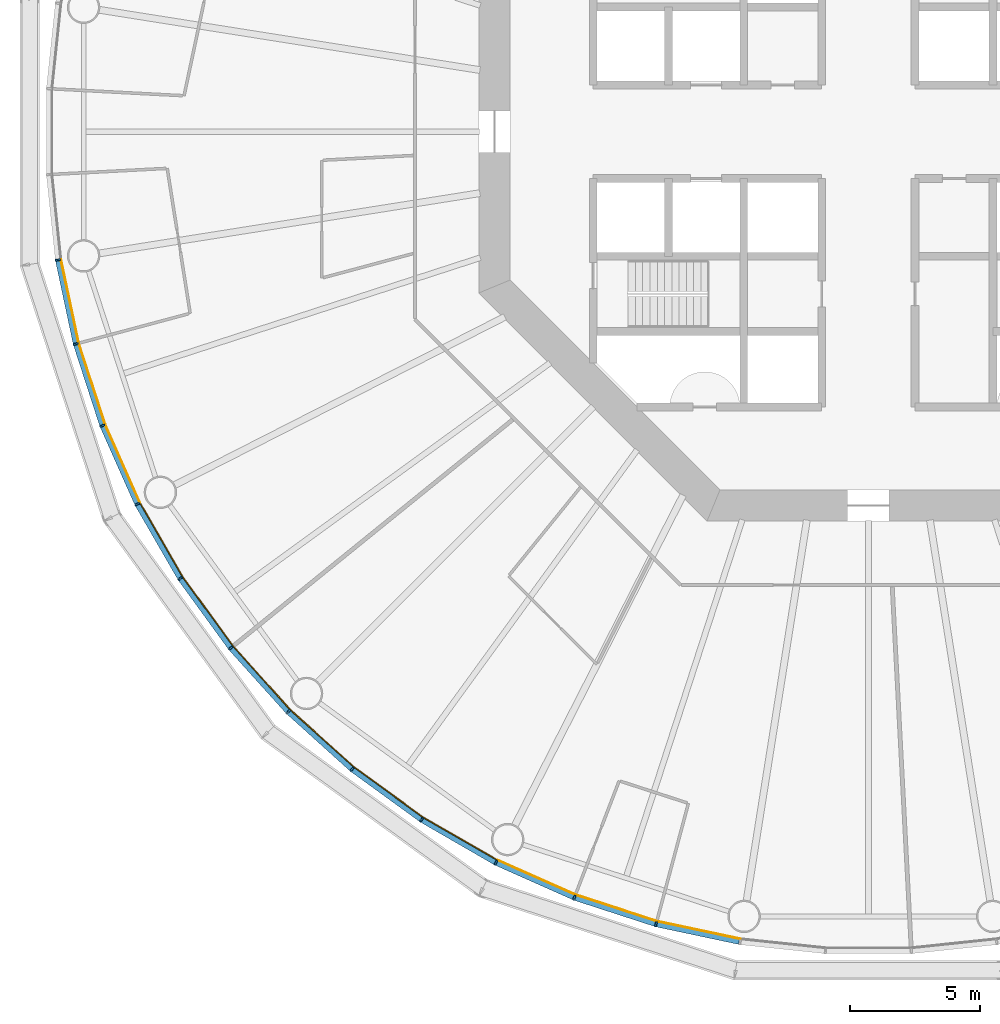
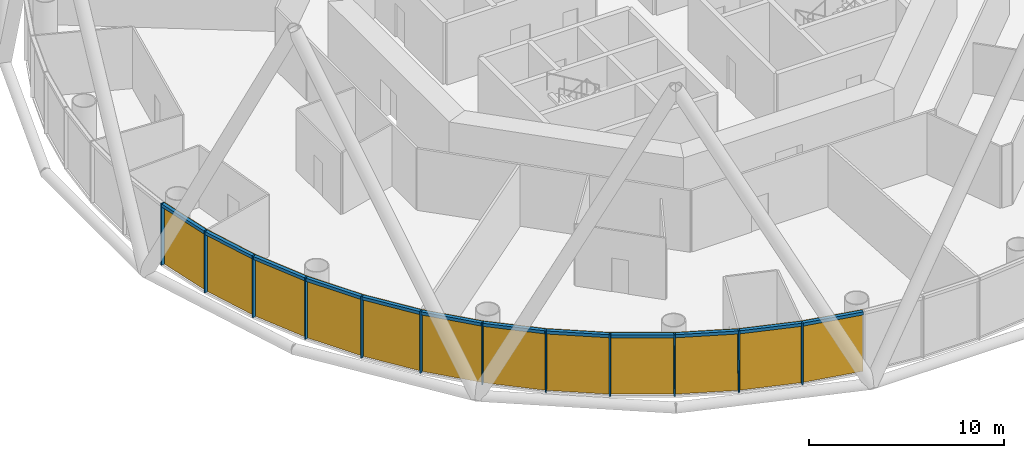
# One storey, part 7 of 13: 24 members, 4 curtain walls.
"""IFC4 building model written with IfcOpenShell, lengths in metres."""

from ifc_helpers import new_model, si_unit, direction, frame, origin, origin_2d, place, context, subcontext, project, spatial, polyline, rectangle, outline, extrude, material, layer, layer_set, material_profile, profile_set, type_object, element, aggregate, save


model = new_model("IFC4")

# Units and contexts
model_context = context("Model", 3, precision=1e-05, world=origin(), true_north=direction((0.0, 1.0)))
body_context = subcontext(model_context, "Body", "Model", "MODEL_VIEW")
ifc_project = project(units=[si_unit("LENGTHUNIT", "METRE"), si_unit("AREAUNIT", "SQUARE_METRE"), si_unit("VOLUMEUNIT", "CUBIC_METRE"), si_unit("PLANEANGLEUNIT", "RADIAN"), si_unit("MASSUNIT", "GRAM", prefix="KILO")], contexts=[model_context])

# Member
ifc_material_1 = material(Name="Anodised aluminium", Category="aluminium")
ifc_material_profile_1 = material_profile(ifc_material_1, rectangle(XDim=0.070068359375, YDim=0.199951171875, at=origin_2d()), Name="Mullion 70 x 200 mm anodised aluminium")
ifc_profile_set_1 = profile_set([ifc_material_profile_1], Name="Anodised aluminium")
member_type_1 = type_object("IfcMemberType", Name="Mullion 70 x 200 mm anodised aluminium", PredefinedType="MULLION", material=ifc_profile_set_1)
site_placement = place(None, origin())
building_placement = place(site_placement, origin())
storey_placement = place(building_placement, frame((0.0, 0.0, 96.0)))
member_1_placement = place(storey_placement, frame((58.7890625, 75.056640625, 0.0), z_axis=(0.0, 0.0, 1.0), x_axis=(0.15643446504, -0.987688340595, 0.0)))
member_1 = element("IfcMember", 1, at=member_1_placement, type_object=member_type_1, Name="MULLION L21-30", PredefinedType="MULLION", context=body_context, shape_type="SweptSolid", body=[
    extrude(rectangle(XDim=0.070068359375, YDim=0.199951171875, at=origin_2d()), origin(), (0.0, 0.0, 1.0), 3.85009765625),
])

member_2_placement = place(storey_placement, frame((59.476806640625, 71.8212890625, 0.0), z_axis=(0.0, 0.0, 1.0), x_axis=(0.258819045103, -0.965925826289, 0.0)))
member_2 = element("IfcMember", 2, at=member_2_placement, type_object=member_type_1, Name="MULLION L21-31", PredefinedType="MULLION", context=body_context, shape_type="SweptSolid", body=[
    extrude(rectangle(XDim=0.070068359375, YDim=0.199951171875, at=origin_2d()), origin(), (0.0, 0.0, 1.0), 3.85009765625),
])

member_3_placement = place(storey_placement, frame((60.498779296875, 68.675537109375, 0.0), z_axis=(0.0, 0.0, 1.0), x_axis=(0.358367949545, -0.933580426497, 0.0)))
member_3 = element("IfcMember", 3, at=member_3_placement, type_object=member_type_1, Name="MULLION L21-32", PredefinedType="MULLION", context=body_context, shape_type="SweptSolid", body=[
    extrude(rectangle(XDim=0.070068359375, YDim=0.199951171875, at=origin_2d()), origin(), (0.0, 0.0, 1.0), 3.85009765625),
])

member_4_placement = place(storey_placement, frame((61.84423828125, 65.65380859375, 0.0), z_axis=(0.0, 0.0, 1.0), x_axis=(0.45399049974, -0.891006524188, 0.0)))
member_4 = element("IfcMember", 4, at=member_4_placement, type_object=member_type_1, Name="MULLION L21-33", PredefinedType="MULLION", context=body_context, shape_type="SweptSolid", body=[
    extrude(rectangle(XDim=0.070068359375, YDim=0.199951171875, at=origin_2d()), origin(), (0.0, 0.0, 1.0), 3.85009765625),
])

member_5_placement = place(storey_placement, frame((63.498046875, 62.789306640625, 0.0), z_axis=(0.0, 0.0, 1.0), x_axis=(0.544639035015, -0.838670567945, 0.0)))
member_5 = element("IfcMember", 5, at=member_5_placement, type_object=member_type_1, Name="MULLION L21-34", PredefinedType="MULLION", context=body_context, shape_type="SweptSolid", body=[
    extrude(rectangle(XDim=0.070068359375, YDim=0.199951171875, at=origin_2d()), origin(), (0.0, 0.0, 1.0), 3.85009765625),
])

member_6_placement = place(storey_placement, frame((65.442138671875, 60.113525390625, 0.0), z_axis=(0.0, 0.0, 1.0), x_axis=(0.62932039105, -0.777145961457, 0.0)))
member_6 = element("IfcMember", 6, at=member_6_placement, type_object=member_type_1, Name="MULLION L21-35", PredefinedType="MULLION", context=body_context, shape_type="SweptSolid", body=[
    extrude(rectangle(XDim=0.070068359375, YDim=0.199951171875, at=origin_2d()), origin(), (0.0, 0.0, 1.0), 3.85009765625),
])

member_7_placement = place(storey_placement, frame((67.655517578125, 57.655517578125, 0.0), z_axis=(0.0, 0.0, 1.0), x_axis=(0.707106781187, -0.707106781187, 0.0)))
member_7 = element("IfcMember", 7, at=member_7_placement, type_object=member_type_1, Name="MULLION L21-36", PredefinedType="MULLION", context=body_context, shape_type="SweptSolid", body=[
    extrude(rectangle(XDim=0.070068359375, YDim=0.199951171875, at=origin_2d()), origin(), (0.0, 0.0, 1.0), 3.85009765625),
])

member_8_placement = place(storey_placement, frame((70.113525390625, 55.442138671875, 0.0), z_axis=(0.0, 0.0, 1.0), x_axis=(0.777145961457, -0.62932039105, 0.0)))
member_8 = element("IfcMember", 8, at=member_8_placement, type_object=member_type_1, Name="MULLION L21-37", PredefinedType="MULLION", context=body_context, shape_type="SweptSolid", body=[
    extrude(rectangle(XDim=0.070068359375, YDim=0.199951171875, at=origin_2d()), origin(), (0.0, 0.0, 1.0), 3.85009765625),
])

member_9_placement = place(storey_placement, frame((72.789306640625, 53.498046875, 0.0), z_axis=(0.0, 0.0, 1.0), x_axis=(0.838670567945, -0.544639035015, 0.0)))
member_9 = element("IfcMember", 9, at=member_9_placement, type_object=member_type_1, Name="MULLION L21-38", PredefinedType="MULLION", context=body_context, shape_type="SweptSolid", body=[
    extrude(rectangle(XDim=0.070068359375, YDim=0.199951171875, at=origin_2d()), origin(), (0.0, 0.0, 1.0), 3.85009765625),
])

member_10_placement = place(storey_placement, frame((75.65380859375, 51.84423828125, 0.0), z_axis=(0.0, 0.0, 1.0), x_axis=(0.891006524188, -0.45399049974, 0.0)))
member_10 = element("IfcMember", 10, at=member_10_placement, type_object=member_type_1, Name="MULLION L21-39", PredefinedType="MULLION", context=body_context, shape_type="SweptSolid", body=[
    extrude(rectangle(XDim=0.070068359375, YDim=0.199951171875, at=origin_2d()), origin(), (0.0, 0.0, 1.0), 3.85009765625),
])

member_11_placement = place(storey_placement, frame((78.675537109375, 50.498779296875, 0.0), z_axis=(0.0, 0.0, 1.0), x_axis=(0.933580426497, -0.358367949545, 0.0)))
member_11 = element("IfcMember", 11, at=member_11_placement, type_object=member_type_1, Name="MULLION L21-40", PredefinedType="MULLION", context=body_context, shape_type="SweptSolid", body=[
    extrude(rectangle(XDim=0.070068359375, YDim=0.199951171875, at=origin_2d()), origin(), (0.0, 0.0, 1.0), 3.85009765625),
])

member_12_placement = place(storey_placement, frame((81.8212890625, 49.476806640625, 0.0), z_axis=(0.0, 0.0, 1.0), x_axis=(0.965925826289, -0.258819045103, 0.0)))
member_12 = element("IfcMember", 12, at=member_12_placement, type_object=member_type_1, Name="MULLION L21-41", PredefinedType="MULLION", context=body_context, shape_type="SweptSolid", body=[
    extrude(rectangle(XDim=0.070068359375, YDim=0.199951171875, at=origin_2d()), origin(), (0.0, 0.0, 1.0), 3.85009765625),
])

ifc_material_2 = material(Name="Anodised aluminium", Category="aluminium")
ifc_material_profile_2 = material_profile(ifc_material_2, rectangle(XDim=0.199951171875, YDim=0.18994140625, at=origin_2d()), Name="Transom 190 x 200 mm anodised aluminium")
ifc_profile_set_2 = profile_set([ifc_material_profile_2], Name="Anodised aluminium")
member_type_2 = type_object("IfcMemberType", Name="Transom 190 x 200 mm anodised aluminium", PredefinedType="USERDEFINED", material=ifc_profile_set_2)
member_13_placement = place(storey_placement, frame((58.79736328125, 75.017333984375, 3.7548828125), z_axis=(0.207885898771, -0.978153082647, 0.0), x_axis=(0.978153082647, 0.207885898771, 0.0)))
member_13 = element("IfcMember", 13, at=member_13_placement, type_object=member_type_2, Name="TRANSOM L21-30", ObjectType="TRANSOM", PredefinedType="USERDEFINED", context=body_context, shape_type="SweptSolid", body=[
    extrude(rectangle(XDim=0.199951171875, YDim=0.18994140625, at=origin_2d()), origin(), (0.0, 0.0, 1.0), 3.227294921875),
])

member_14_placement = place(storey_placement, frame((59.489013671875, 71.782958984375, 3.7548828125), z_axis=(0.309046726844, -0.951046855117, 0.0), x_axis=(0.951046855117, 0.309046726844, 0.0)))
member_14 = element("IfcMember", 14, at=member_14_placement, type_object=member_type_2, Name="TRANSOM L21-31", ObjectType="TRANSOM", PredefinedType="USERDEFINED", context=body_context, shape_type="SweptSolid", body=[
    extrude(rectangle(XDim=0.199951171875, YDim=0.18994140625, at=origin_2d()), origin(), (0.0, 0.0, 1.0), 3.22705078125),
])

member_15_placement = place(storey_placement, frame((60.51513671875, 68.638671875, 3.7548828125), z_axis=(0.406728032322, -0.913549291349, 0.0), x_axis=(0.913549291349, 0.406728032322, 0.0)))
member_15 = element("IfcMember", 15, at=member_15_placement, type_object=member_type_2, Name="TRANSOM L21-32", ObjectType="TRANSOM", PredefinedType="USERDEFINED", context=body_context, shape_type="SweptSolid", body=[
    extrude(rectangle(XDim=0.199951171875, YDim=0.18994140625, at=origin_2d()), origin(), (0.0, 0.0, 1.0), 3.22705078125),
])

member_16_placement = place(storey_placement, frame((61.8642578125, 65.618896484375, 3.7548828125), z_axis=(0.500004055213, -0.866023062494, 0.0), x_axis=(0.866023062494, 0.500004055213, 0.0)))
member_16 = element("IfcMember", 16, at=member_16_placement, type_object=member_type_2, Name="TRANSOM L21-33", ObjectType="TRANSOM", PredefinedType="USERDEFINED", context=body_context, shape_type="SweptSolid", body=[
    extrude(rectangle(XDim=0.199951171875, YDim=0.18994140625, at=origin_2d()), origin(), (0.0, 0.0, 1.0), 3.22705078125),
])

member_17_placement = place(storey_placement, frame((63.521484375, 62.7568359375, 3.7548828125), z_axis=(0.587802790201, -0.809004252048, 0.0), x_axis=(0.809004252048, 0.587802790201, 0.0)))
member_17 = element("IfcMember", 17, at=member_17_placement, type_object=member_type_2, Name="TRANSOM L21-34", ObjectType="TRANSOM", PredefinedType="USERDEFINED", context=body_context, shape_type="SweptSolid", body=[
    extrude(rectangle(XDim=0.199951171875, YDim=0.18994140625, at=origin_2d()), origin(), (0.0, 0.0, 1.0), 3.227294921875),
])

member_18_placement = place(storey_placement, frame((65.468994140625, 60.08349609375, 3.7548828125), z_axis=(0.669144438484, -0.743132370743, 0.0), x_axis=(0.743132370743, 0.669144438484, 0.0)))
member_18 = element("IfcMember", 18, at=member_18_placement, type_object=member_type_2, Name="TRANSOM L21-35", ObjectType="TRANSOM", PredefinedType="USERDEFINED", context=body_context, shape_type="SweptSolid", body=[
    extrude(rectangle(XDim=0.199951171875, YDim=0.18994140625, at=origin_2d()), origin(), (0.0, 0.0, 1.0), 3.22705078125),
])

member_19_placement = place(storey_placement, frame((67.685302734375, 57.62841796875, 3.7548828125), z_axis=(0.743132370743, -0.669144438484, 0.0), x_axis=(0.669144438484, 0.743132370743, 0.0)))
member_19 = element("IfcMember", 19, at=member_19_placement, type_object=member_type_2, Name="TRANSOM L21-36", ObjectType="TRANSOM", PredefinedType="USERDEFINED", context=body_context, shape_type="SweptSolid", body=[
    extrude(rectangle(XDim=0.199951171875, YDim=0.18994140625, at=origin_2d()), origin(), (0.0, 0.0, 1.0), 3.22705078125),
])

member_20_placement = place(storey_placement, frame((70.14599609375, 55.41845703125, 3.7548828125), z_axis=(0.809004252048, -0.587802790201, 0.0), x_axis=(0.587802790201, 0.809004252048, 0.0)))
member_20 = element("IfcMember", 20, at=member_20_placement, type_object=member_type_2, Name="TRANSOM L21-37", ObjectType="TRANSOM", PredefinedType="USERDEFINED", context=body_context, shape_type="SweptSolid", body=[
    extrude(rectangle(XDim=0.199951171875, YDim=0.18994140625, at=origin_2d()), origin(), (0.0, 0.0, 1.0), 3.227294921875),
])

member_21_placement = place(storey_placement, frame((72.82421875, 53.477783203125, 3.7548828125), z_axis=(0.866023062494, -0.500004055213, 0.0), x_axis=(0.500004055213, 0.866023062494, 0.0)))
member_21 = element("IfcMember", 21, at=member_21_placement, type_object=member_type_2, Name="TRANSOM L21-38", ObjectType="TRANSOM", PredefinedType="USERDEFINED", context=body_context, shape_type="SweptSolid", body=[
    extrude(rectangle(XDim=0.199951171875, YDim=0.18994140625, at=origin_2d()), origin(), (0.0, 0.0, 1.0), 3.22705078125),
])

member_22_placement = place(storey_placement, frame((75.690673828125, 51.82763671875, 3.7548828125), z_axis=(0.913549291349, -0.406728032322, 0.0), x_axis=(0.406728032322, 0.913549291349, 0.0)))
member_22 = element("IfcMember", 22, at=member_22_placement, type_object=member_type_2, Name="TRANSOM L21-39", ObjectType="TRANSOM", PredefinedType="USERDEFINED", context=body_context, shape_type="SweptSolid", body=[
    extrude(rectangle(XDim=0.199951171875, YDim=0.18994140625, at=origin_2d()), origin(), (0.0, 0.0, 1.0), 3.22705078125),
])

member_23_placement = place(storey_placement, frame((78.7138671875, 50.486328125, 3.7548828125), z_axis=(0.951046855117, -0.309046726844, 0.0), x_axis=(0.309046726844, 0.951046855117, 0.0)))
member_23 = element("IfcMember", 23, at=member_23_placement, type_object=member_type_2, Name="TRANSOM L21-40", ObjectType="TRANSOM", PredefinedType="USERDEFINED", context=body_context, shape_type="SweptSolid", body=[
    extrude(rectangle(XDim=0.199951171875, YDim=0.18994140625, at=origin_2d()), origin(), (0.0, 0.0, 1.0), 3.22705078125),
])

member_24_placement = place(storey_placement, frame((81.860595703125, 49.46826171875, 3.7548828125), z_axis=(0.978153082647, -0.207885898771, 0.0), x_axis=(0.207885898771, 0.978153082647, 0.0)))
member_24 = element("IfcMember", 24, at=member_24_placement, type_object=member_type_2, Name="TRANSOM L21-41", ObjectType="TRANSOM", PredefinedType="USERDEFINED", context=body_context, shape_type="SweptSolid", body=[
    extrude(rectangle(XDim=0.199951171875, YDim=0.18994140625, at=origin_2d()), origin(), (0.0, 0.0, 1.0), 3.227294921875),
])

# Site, building, storey
site = spatial("IfcSite", under=ifc_project, at=site_placement, CompositionType="ELEMENT")
building = spatial("IfcBuilding", under=site, at=building_placement, Name="Entoto Ring Tower", CompositionType="ELEMENT")
storey = spatial("IfcBuildingStorey", under=building, at=storey_placement, Name="L21", CompositionType="ELEMENT", Elevation=96.0)

# Curtain wall
ifc_material_3 = material(Name="Clear low-iron glass", Category="glass")
ifc_layer = layer(ifc_material_3, 0.035888671875)
ifc_layer_set = layer_set([ifc_layer], Name="Clear low-iron glass")
curtain_wall_type = type_object("IfcCurtainWallType", Name="Curtain wall system CW2 glazing 36 mm", PredefinedType="NOTDEFINED", material=ifc_layer_set)
curtain_wall_1_placement = place(storey_placement, origin())
curtain_wall_1 = element("IfcCurtainWall", 25, at=curtain_wall_1_placement, inside=storey, type_object=curtain_wall_type, Name="CW2 L21-11", PredefinedType="NOTDEFINED", context=body_context, shape_type="SweptSolid", body=[
    extrude(outline(polyline([(58.8876953125, 75.072265625), (59.5732421875, 71.84716796875), (60.59228515625, 68.71142578125), (61.933349609375, 65.69921875), (61.96533203125, 65.715576171875), (60.6259765625, 68.724365234375), (59.608154296875, 71.8564453125), (58.92333984375, 75.077880859375), (58.8876953125, 75.072265625)])), origin(), (0.0, 0.0, 1.0), 3.85009765625),
])

aggregate(curtain_wall_1, [member_1, member_2, member_3, member_13, member_14, member_15])

curtain_wall_2_placement = place(storey_placement, origin())
curtain_wall_2 = element("IfcCurtainWall", 26, at=curtain_wall_2_placement, inside=storey, type_object=curtain_wall_type, Name="CW2 L21-12", PredefinedType="NOTDEFINED", context=body_context, shape_type="SweptSolid", body=[
    extrude(outline(polyline([(61.933349609375, 65.69921875), (63.581787109375, 62.84375), (65.52001953125, 60.176513671875), (67.72607421875, 57.72607421875), (67.751708984375, 57.751708984375), (65.5478515625, 60.198974609375), (63.612060546875, 62.863525390625), (61.96533203125, 65.715576171875), (61.933349609375, 65.69921875)])), origin(), (0.0, 0.0, 1.0), 3.85009765625),
])

aggregate(curtain_wall_2, [member_4, member_5, member_6, member_16, member_17, member_18])

curtain_wall_3_placement = place(storey_placement, origin())
curtain_wall_3 = element("IfcCurtainWall", 27, at=curtain_wall_3_placement, inside=storey, type_object=curtain_wall_type, Name="CW2 L21-13", PredefinedType="NOTDEFINED", context=body_context, shape_type="SweptSolid", body=[
    extrude(outline(polyline([(67.72607421875, 57.72607421875), (70.176513671875, 55.52001953125), (72.84375, 53.581787109375), (75.69921875, 51.933349609375), (75.715576171875, 51.96533203125), (72.863525390625, 53.612060546875), (70.198974609375, 55.5478515625), (67.751708984375, 57.751708984375), (67.72607421875, 57.72607421875)])), origin(), (0.0, 0.0, 1.0), 3.85009765625),
])

aggregate(curtain_wall_3, [member_7, member_8, member_9, member_19, member_20, member_21])

curtain_wall_4_placement = place(storey_placement, origin())
curtain_wall_4 = element("IfcCurtainWall", 28, at=curtain_wall_4_placement, inside=storey, type_object=curtain_wall_type, Name="CW2 L21-14", PredefinedType="NOTDEFINED", context=body_context, shape_type="SweptSolid", body=[
    extrude(outline(polyline([(75.69921875, 51.933349609375), (78.71142578125, 50.59228515625), (81.84716796875, 49.5732421875), (85.072265625, 48.8876953125), (85.077880859375, 48.92333984375), (81.8564453125, 49.608154296875), (78.724365234375, 50.6259765625), (75.715576171875, 51.96533203125), (75.69921875, 51.933349609375)])), origin(), (0.0, 0.0, 1.0), 3.85009765625),
])

aggregate(curtain_wall_4, [member_10, member_11, member_12, member_22, member_23, member_24])

save(model, "model.ifc")
